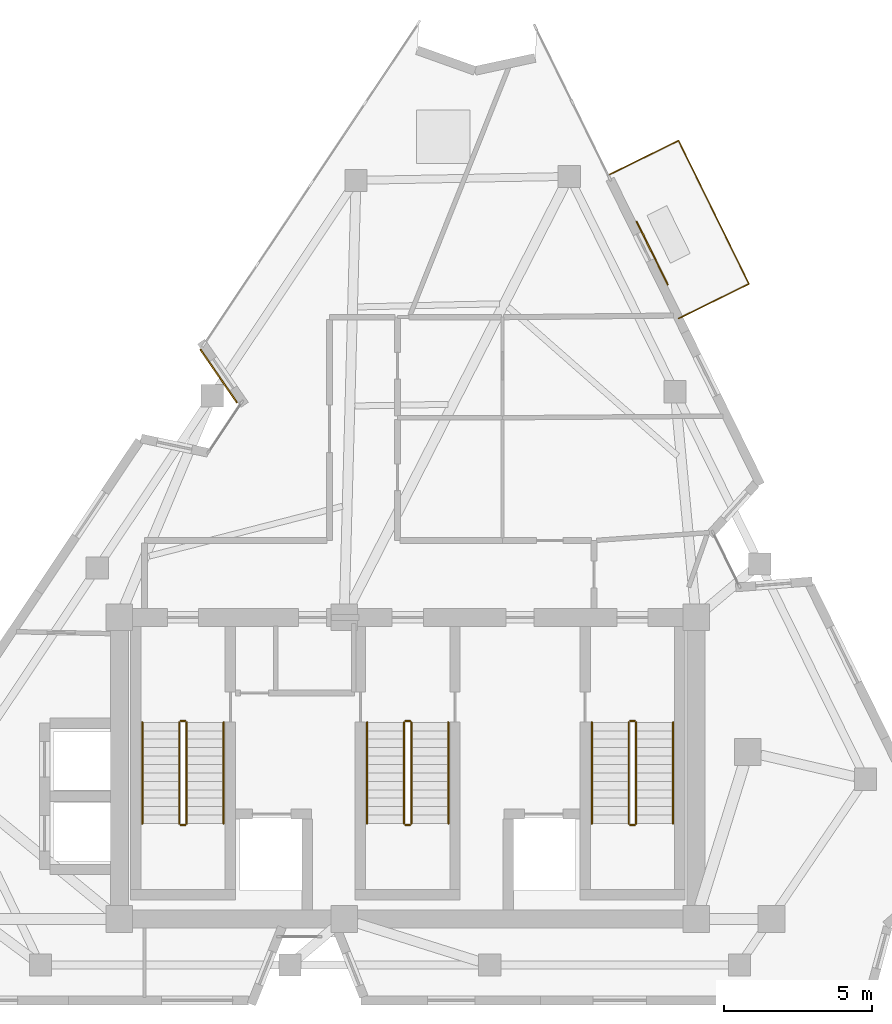
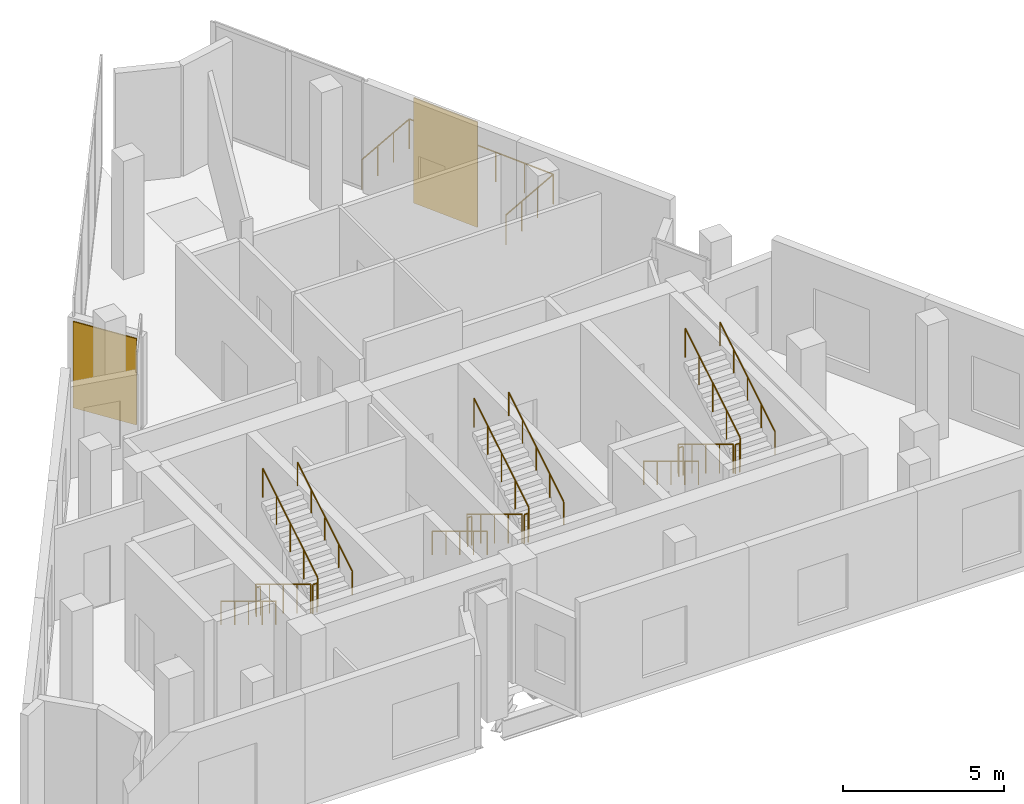
# One storey, part 8 of 8: 19 railings, 2 coverings.
"""IFC4 building model written with IfcOpenShell, lengths in metres."""

from ifc_helpers import new_model, si_unit, direction, frame, origin, origin_2d, place, context, subcontext, project, spatial, rectangle, circle, extrude, material, layer, layer_set, type_object, element, save


model = new_model("IFC4")

# Units and contexts
model_context = context("Model", 3, precision=1e-05, world=origin(), true_north=direction((0.0, 1.0)))
body_context = subcontext(model_context, "Body", "Model", "MODEL_VIEW")
ifc_project = project(units=[si_unit("LENGTHUNIT", "METRE"), si_unit("AREAUNIT", "SQUARE_METRE"), si_unit("VOLUMEUNIT", "CUBIC_METRE"), si_unit("PLANEANGLEUNIT", "RADIAN"), si_unit("MASSUNIT", "GRAM", prefix="KILO")], contexts=[model_context])

# Site, building, storey
site_placement = place(None, origin())
site = spatial("IfcSite", under=ifc_project, at=site_placement, CompositionType="ELEMENT")
building_placement = place(site_placement, origin())
building = spatial("IfcBuilding", under=site, at=building_placement, Name="Almagre Mirador Tower", CompositionType="ELEMENT")
storey_placement = place(building_placement, frame((0.0, 0.0, 294.0)))
storey = spatial("IfcBuildingStorey", under=building, at=storey_placement, Name="L76", CompositionType="ELEMENT", Elevation=294.0)

# Coverings
ifc_material_1 = material(Name="Almagre terracotta architectural cladding", Category="masonry")
ifc_layer = layer(ifc_material_1, 0.044921875)
ifc_layer_set = layer_set([ifc_layer], Name="Almagre terracotta architectural cladding")
covering_type = type_object("IfcCoveringType", Name="COV-CLAD-ALMAGRE", PredefinedType="CLADDING", material=ifc_layer_set)
covering_1_placement = place(storey_placement, frame((30.908447265625, 22.90966796875, 0.10009765625), z_axis=(0.0, 0.0, 1.0), x_axis=(-0.567513271194, 0.823364249296, 0.0)))
element("IfcCovering", 1, at=covering_1_placement, inside=storey, type_object=covering_type, Name="L76 almagre terracotta pier cladding", PredefinedType="CLADDING", context=body_context, shape_type="SweptSolid", body=[
    extrude(rectangle(XDim=2.194091796875, YDim=0.044921875, at=origin_2d()), origin(), (0.0, 0.0, 1.0), 3.281982421875),
])
covering_2_placement = place(storey_placement, frame((45.56787109375, 27.065185546875, 0.10009765625), z_axis=(0.0, 0.0, 1.0), x_axis=(0.441270935972, -0.897373924886, 0.0)))
element("IfcCovering", 2, at=covering_2_placement, inside=storey, type_object=covering_type, Name="L76 almagre terracotta pier cladding", PredefinedType="CLADDING", context=body_context, shape_type="SweptSolid", body=[
    extrude(rectangle(XDim=2.39990234375, YDim=0.044921875, at=origin_2d()), origin(), (0.0, 0.0, 1.0), 4.0),
])

# Railings
ifc_material_2 = material(Name="Black anodized aluminium", Category="aluminium")
railing_type_1 = type_object("IfcRailingType", Name="RLG-BAL-1150", PredefinedType="BALUSTRADE", material=ifc_material_2)
railing_1_placement = place(storey_placement, frame((46.4609375, 24.85693359375, 0.0)))
element("IfcRailing", 3, at=railing_1_placement, inside=storey, type_object=railing_type_1, Name="L76 east balcony balustrade 1", PredefinedType="BALUSTRADE", context=body_context, shape_type="SweptSolid", body=[
    extrude(circle(Radius=0.02392578125, at=origin_2d()), frame((0.0, 0.0, 1.1259765625), z_axis=(0.897264435075, 0.441493526056, 0.0), x_axis=(-0.441493526056, 0.897264435075, 0.0)), (0.0, 0.0, 1.0), 2.650390625),
    extrude(circle(Radius=0.02392578125, at=origin_2d()), frame((2.378173828125, 1.170166015625, 1.1259765625), z_axis=(-0.441216382281, 0.897400748833, 0.0), x_axis=(-0.897400748833, -0.441216382281, 0.0)), (0.0, 0.0, 1.0), 5.39892578125),
    extrude(circle(Radius=0.02392578125, at=origin_2d()), frame((-0.00390625, 6.01513671875, 1.1259765625), z_axis=(-0.897392430481, -0.441233300778, 0.0), x_axis=(0.441233300778, -0.897392430481, 0.0)), (0.0, 0.0, 1.0), 2.64990234375),
    extrude(circle(Radius=0.02099609375, at=origin_2d()), origin(), (0.0, 0.0, 1.0), 1.101806640625),
    extrude(circle(Radius=0.02099609375, at=origin_2d()), frame((0.792724609375, 0.39013671875, 0.0)), (0.0, 0.0, 1.0), 1.101806640625),
    extrude(circle(Radius=0.02099609375, at=origin_2d()), frame((1.58544921875, 0.780029296875, 0.0)), (0.0, 0.0, 1.0), 1.101806640625),
    extrude(circle(Radius=0.02099609375, at=origin_2d()), frame((2.378173828125, 1.170166015625, 0.0)), (0.0, 0.0, 1.0), 1.101806640625),
    extrude(circle(Radius=0.02099609375, at=origin_2d()), frame((1.90185546875, 2.13916015625, 0.0)), (0.0, 0.0, 1.0), 1.101806640625),
    extrude(circle(Radius=0.02099609375, at=origin_2d()), frame((1.42529296875, 3.108154296875, 0.0)), (0.0, 0.0, 1.0), 1.101806640625),
    extrude(circle(Radius=0.02099609375, at=origin_2d()), frame((0.948974609375, 4.0771484375, 0.0)), (0.0, 0.0, 1.0), 1.101806640625),
    extrude(circle(Radius=0.02099609375, at=origin_2d()), frame((0.472412109375, 5.046142578125, 0.0)), (0.0, 0.0, 1.0), 1.101806640625),
    extrude(circle(Radius=0.02099609375, at=origin_2d()), frame((-0.00390625, 6.01513671875, 0.0)), (0.0, 0.0, 1.0), 1.101806640625),
    extrude(circle(Radius=0.02099609375, at=origin_2d()), frame((-0.796630859375, 5.62548828125, 0.0)), (0.0, 0.0, 1.0), 1.101806640625),
    extrude(circle(Radius=0.02099609375, at=origin_2d()), frame((-1.589111328125, 5.235595703125, 0.0)), (0.0, 0.0, 1.0), 1.101806640625),
    extrude(circle(Radius=0.02099609375, at=origin_2d()), frame((-2.3818359375, 4.845947265625, 0.0)), (0.0, 0.0, 1.0), 1.101806640625),
])
ifc_material_3 = material(Name="Painted galvanized steel", Category="steel")
railing_type_2 = type_object("IfcRailingType", Name="RLG-GRD-1100", PredefinedType="GUARDRAIL", material=ifc_material_3)
railing_2_placement = place(storey_placement, frame((29.574951171875, 11.199951171875, 0.173095703125)))
element("IfcRailing", 4, at=railing_2_placement, inside=storey, type_object=railing_type_2, Name="L76 ST-1 stair guard 1", PredefinedType="GUARDRAIL", context=body_context, shape_type="SweptSolid", body=[
    extrude(circle(Radius=0.02392578125, at=origin_2d()), frame((0.0, 0.0, 1.09619140625), z_axis=(0.0, -0.854729506542, 0.519073665916), x_axis=(1.0, 0.0, 0.0)), (0.0, 0.0, 1.0), 4.001220703125),
    extrude(circle(Radius=0.02099609375, at=origin_2d()), origin(), (0.0, 0.0, 1.0), 1.072021484375),
    extrude(circle(Radius=0.02099609375, at=origin_2d()), frame((0.0, -0.85498046875, 0.519287109375)), (0.0, 0.0, 1.0), 1.072021484375),
    extrude(circle(Radius=0.02099609375, at=origin_2d()), frame((0.0, -1.7099609375, 1.03857421875)), (0.0, 0.0, 1.0), 1.072021484375),
    extrude(circle(Radius=0.02099609375, at=origin_2d()), frame((0.0, -2.56494140625, 1.5576171875)), (0.0, 0.0, 1.0), 1.072021484375),
    extrude(circle(Radius=0.02099609375, at=origin_2d()), frame((0.0, -3.419921875, 2.076904296875)), (0.0, 0.0, 1.0), 1.072021484375),
])
railing_3_placement = place(storey_placement, frame((29.625, 7.72998046875, 2.25)))
element("IfcRailing", 5, at=railing_3_placement, inside=storey, type_object=railing_type_2, Name="L76 ST-1 stair guard 2", PredefinedType="GUARDRAIL", context=body_context, shape_type="SweptSolid", body=[
    extrude(circle(Radius=0.02392578125, at=origin_2d()), frame((0.0, 0.0, 1.09619140625), z_axis=(1.0, 0.0, 0.0), x_axis=(0.0, 1.0, 0.0)), (0.0, 0.0, 1.0), 0.14990234375),
    extrude(circle(Radius=0.02099609375, at=origin_2d()), origin(), (0.0, 0.0, 1.0), 1.072021484375),
    extrude(circle(Radius=0.02099609375, at=origin_2d()), frame((0.14990234375, 0.0, 0.0)), (0.0, 0.0, 1.0), 1.072021484375),
])
railing_4_placement = place(storey_placement, frame((29.824951171875, 7.780029296875, 2.423095703125)))
element("IfcRailing", 6, at=railing_4_placement, inside=storey, type_object=railing_type_2, Name="L76 ST-1 stair guard 3", PredefinedType="GUARDRAIL", context=body_context, shape_type="SweptSolid", body=[
    extrude(circle(Radius=0.02392578125, at=origin_2d()), frame((0.0, 0.0, 1.09619140625), z_axis=(0.0, 0.854729506542, 0.519073665916), x_axis=(-1.0, 0.0, 0.0)), (0.0, 0.0, 1.0), 4.001220703125),
    extrude(circle(Radius=0.02099609375, at=origin_2d()), origin(), (0.0, 0.0, 1.0), 1.072021484375),
    extrude(circle(Radius=0.02099609375, at=origin_2d()), frame((0.0, 0.85498046875, 0.519287109375)), (0.0, 0.0, 1.0), 1.072021484375),
    extrude(circle(Radius=0.02099609375, at=origin_2d()), frame((0.0, 1.7099609375, 1.03857421875)), (0.0, 0.0, 1.0), 1.072021484375),
    extrude(circle(Radius=0.02099609375, at=origin_2d()), frame((0.0, 2.56494140625, 1.5576171875)), (0.0, 0.0, 1.0), 1.072021484375),
    extrude(circle(Radius=0.02099609375, at=origin_2d()), frame((0.0, 3.419921875, 2.076904296875)), (0.0, 0.0, 1.0), 1.072021484375),
])
railing_5_placement = place(storey_placement, frame((29.625, 11.25, 0.0)))
element("IfcRailing", 7, at=railing_5_placement, inside=storey, type_object=railing_type_2, Name="L76 ST-1 stair guard 4", PredefinedType="GUARDRAIL", context=body_context, shape_type="SweptSolid", body=[
    extrude(circle(Radius=0.02392578125, at=origin_2d()), frame((0.0, 0.0, 1.09619140625), z_axis=(1.0, 0.0, 0.0), x_axis=(0.0, 1.0, 0.0)), (0.0, 0.0, 1.0), 0.14990234375),
    extrude(circle(Radius=0.02099609375, at=origin_2d()), origin(), (0.0, 0.0, 1.0), 1.072021484375),
    extrude(circle(Radius=0.02099609375, at=origin_2d()), frame((0.14990234375, 0.0, 0.0)), (0.0, 0.0, 1.0), 1.072021484375),
])
railing_6_placement = place(storey_placement, frame((37.175048828125, 11.199951171875, 0.173095703125)))
element("IfcRailing", 8, at=railing_6_placement, inside=storey, type_object=railing_type_2, Name="L76 ST-2 stair guard 1", PredefinedType="GUARDRAIL", context=body_context, shape_type="SweptSolid", body=[
    extrude(circle(Radius=0.02392578125, at=origin_2d()), frame((0.0, 0.0, 1.09619140625), z_axis=(0.0, -0.854729506542, 0.519073665916), x_axis=(1.0, 0.0, 0.0)), (0.0, 0.0, 1.0), 4.001220703125),
    extrude(circle(Radius=0.02099609375, at=origin_2d()), origin(), (0.0, 0.0, 1.0), 1.072021484375),
    extrude(circle(Radius=0.02099609375, at=origin_2d()), frame((0.0, -0.85498046875, 0.519287109375)), (0.0, 0.0, 1.0), 1.072021484375),
    extrude(circle(Radius=0.02099609375, at=origin_2d()), frame((0.0, -1.7099609375, 1.03857421875)), (0.0, 0.0, 1.0), 1.072021484375),
    extrude(circle(Radius=0.02099609375, at=origin_2d()), frame((0.0, -2.56494140625, 1.5576171875)), (0.0, 0.0, 1.0), 1.072021484375),
    extrude(circle(Radius=0.02099609375, at=origin_2d()), frame((0.0, -3.419921875, 2.076904296875)), (0.0, 0.0, 1.0), 1.072021484375),
])
railing_7_placement = place(storey_placement, frame((37.22509765625, 7.72998046875, 2.25)))
element("IfcRailing", 9, at=railing_7_placement, inside=storey, type_object=railing_type_2, Name="L76 ST-2 stair guard 2", PredefinedType="GUARDRAIL", context=body_context, shape_type="SweptSolid", body=[
    extrude(circle(Radius=0.02392578125, at=origin_2d()), frame((0.0, 0.0, 1.09619140625), z_axis=(1.0, 0.0, 0.0), x_axis=(0.0, 1.0, 0.0)), (0.0, 0.0, 1.0), 0.14990234375),
    extrude(circle(Radius=0.02099609375, at=origin_2d()), origin(), (0.0, 0.0, 1.0), 1.072021484375),
    extrude(circle(Radius=0.02099609375, at=origin_2d()), frame((0.14990234375, 0.0, 0.0)), (0.0, 0.0, 1.0), 1.072021484375),
])
railing_8_placement = place(storey_placement, frame((37.425048828125, 7.780029296875, 2.423095703125)))
element("IfcRailing", 10, at=railing_8_placement, inside=storey, type_object=railing_type_2, Name="L76 ST-2 stair guard 3", PredefinedType="GUARDRAIL", context=body_context, shape_type="SweptSolid", body=[
    extrude(circle(Radius=0.02392578125, at=origin_2d()), frame((0.0, 0.0, 1.09619140625), z_axis=(0.0, 0.854729506542, 0.519073665916), x_axis=(-1.0, 0.0, 0.0)), (0.0, 0.0, 1.0), 4.001220703125),
    extrude(circle(Radius=0.02099609375, at=origin_2d()), origin(), (0.0, 0.0, 1.0), 1.072021484375),
    extrude(circle(Radius=0.02099609375, at=origin_2d()), frame((0.0, 0.85498046875, 0.519287109375)), (0.0, 0.0, 1.0), 1.072021484375),
    extrude(circle(Radius=0.02099609375, at=origin_2d()), frame((0.0, 1.7099609375, 1.03857421875)), (0.0, 0.0, 1.0), 1.072021484375),
    extrude(circle(Radius=0.02099609375, at=origin_2d()), frame((0.0, 2.56494140625, 1.5576171875)), (0.0, 0.0, 1.0), 1.072021484375),
    extrude(circle(Radius=0.02099609375, at=origin_2d()), frame((0.0, 3.419921875, 2.076904296875)), (0.0, 0.0, 1.0), 1.072021484375),
])
railing_9_placement = place(storey_placement, frame((37.22509765625, 11.25, 0.0)))
element("IfcRailing", 11, at=railing_9_placement, inside=storey, type_object=railing_type_2, Name="L76 ST-2 stair guard 4", PredefinedType="GUARDRAIL", context=body_context, shape_type="SweptSolid", body=[
    extrude(circle(Radius=0.02392578125, at=origin_2d()), frame((0.0, 0.0, 1.09619140625), z_axis=(1.0, 0.0, 0.0), x_axis=(0.0, 1.0, 0.0)), (0.0, 0.0, 1.0), 0.14990234375),
    extrude(circle(Radius=0.02099609375, at=origin_2d()), origin(), (0.0, 0.0, 1.0), 1.072021484375),
    extrude(circle(Radius=0.02099609375, at=origin_2d()), frame((0.14990234375, 0.0, 0.0)), (0.0, 0.0, 1.0), 1.072021484375),
])
railing_10_placement = place(storey_placement, frame((44.77490234375, 11.199951171875, 0.173095703125)))
element("IfcRailing", 12, at=railing_10_placement, inside=storey, type_object=railing_type_2, Name="L76 ST-3 stair guard 1", PredefinedType="GUARDRAIL", context=body_context, shape_type="SweptSolid", body=[
    extrude(circle(Radius=0.02392578125, at=origin_2d()), frame((0.0, 0.0, 1.09619140625), z_axis=(0.0, -0.854729506542, 0.519073665916), x_axis=(1.0, 0.0, 0.0)), (0.0, 0.0, 1.0), 4.001220703125),
    extrude(circle(Radius=0.02099609375, at=origin_2d()), origin(), (0.0, 0.0, 1.0), 1.072021484375),
    extrude(circle(Radius=0.02099609375, at=origin_2d()), frame((0.0, -0.85498046875, 0.519287109375)), (0.0, 0.0, 1.0), 1.072021484375),
    extrude(circle(Radius=0.02099609375, at=origin_2d()), frame((0.0, -1.7099609375, 1.03857421875)), (0.0, 0.0, 1.0), 1.072021484375),
    extrude(circle(Radius=0.02099609375, at=origin_2d()), frame((0.0, -2.56494140625, 1.5576171875)), (0.0, 0.0, 1.0), 1.072021484375),
    extrude(circle(Radius=0.02099609375, at=origin_2d()), frame((0.0, -3.419921875, 2.076904296875)), (0.0, 0.0, 1.0), 1.072021484375),
])
railing_11_placement = place(storey_placement, frame((44.824951171875, 7.72998046875, 2.25)))
element("IfcRailing", 13, at=railing_11_placement, inside=storey, type_object=railing_type_2, Name="L76 ST-3 stair guard 2", PredefinedType="GUARDRAIL", context=body_context, shape_type="SweptSolid", body=[
    extrude(circle(Radius=0.02392578125, at=origin_2d()), frame((0.0, 0.0, 1.09619140625), z_axis=(1.0, 0.0, 0.0), x_axis=(0.0, 1.0, 0.0)), (0.0, 0.0, 1.0), 0.150146484375),
    extrude(circle(Radius=0.02099609375, at=origin_2d()), origin(), (0.0, 0.0, 1.0), 1.072021484375),
    extrude(circle(Radius=0.02099609375, at=origin_2d()), frame((0.150146484375, 0.0, 0.0)), (0.0, 0.0, 1.0), 1.072021484375),
])
railing_12_placement = place(storey_placement, frame((45.02490234375, 7.780029296875, 2.423095703125)))
element("IfcRailing", 14, at=railing_12_placement, inside=storey, type_object=railing_type_2, Name="L76 ST-3 stair guard 3", PredefinedType="GUARDRAIL", context=body_context, shape_type="SweptSolid", body=[
    extrude(circle(Radius=0.02392578125, at=origin_2d()), frame((0.0, 0.0, 1.09619140625), z_axis=(0.0, 0.854729506542, 0.519073665916), x_axis=(-1.0, 0.0, 0.0)), (0.0, 0.0, 1.0), 4.001220703125),
    extrude(circle(Radius=0.02099609375, at=origin_2d()), origin(), (0.0, 0.0, 1.0), 1.072021484375),
    extrude(circle(Radius=0.02099609375, at=origin_2d()), frame((0.0, 0.85498046875, 0.519287109375)), (0.0, 0.0, 1.0), 1.072021484375),
    extrude(circle(Radius=0.02099609375, at=origin_2d()), frame((0.0, 1.7099609375, 1.03857421875)), (0.0, 0.0, 1.0), 1.072021484375),
    extrude(circle(Radius=0.02099609375, at=origin_2d()), frame((0.0, 2.56494140625, 1.5576171875)), (0.0, 0.0, 1.0), 1.072021484375),
    extrude(circle(Radius=0.02099609375, at=origin_2d()), frame((0.0, 3.419921875, 2.076904296875)), (0.0, 0.0, 1.0), 1.072021484375),
])
railing_13_placement = place(storey_placement, frame((44.824951171875, 11.25, 0.0)))
element("IfcRailing", 15, at=railing_13_placement, inside=storey, type_object=railing_type_2, Name="L76 ST-3 stair guard 4", PredefinedType="GUARDRAIL", context=body_context, shape_type="SweptSolid", body=[
    extrude(circle(Radius=0.02392578125, at=origin_2d()), frame((0.0, 0.0, 1.09619140625), z_axis=(1.0, 0.0, 0.0), x_axis=(0.0, 1.0, 0.0)), (0.0, 0.0, 1.0), 0.150146484375),
    extrude(circle(Radius=0.02099609375, at=origin_2d()), origin(), (0.0, 0.0, 1.0), 1.072021484375),
    extrude(circle(Radius=0.02099609375, at=origin_2d()), frame((0.150146484375, 0.0, 0.0)), (0.0, 0.0, 1.0), 1.072021484375),
])
ifc_material_4 = material(Name="Brushed stainless steel", Category="steel")
railing_type_3 = type_object("IfcRailingType", Name="RLG-HND-915", PredefinedType="HANDRAIL", material=ifc_material_4)
railing_14_placement = place(storey_placement, frame((28.324951171875, 11.199951171875, 0.173095703125)))
element("IfcRailing", 16, at=railing_14_placement, inside=storey, type_object=railing_type_3, Name="L76 ST-1 stair handrail 1", PredefinedType="HANDRAIL", context=body_context, shape_type="SweptSolid", body=[
    extrude(circle(Radius=0.02392578125, at=origin_2d()), frame((0.0, 0.0, 0.89111328125), z_axis=(0.0, -0.854729506542, 0.519073665916), x_axis=(1.0, 0.0, 0.0)), (0.0, 0.0, 1.0), 4.001220703125),
    extrude(circle(Radius=0.02099609375, at=origin_2d()), origin(), (0.0, 0.0, 1.0), 0.866943359375),
    extrude(circle(Radius=0.02099609375, at=origin_2d()), frame((0.0, -0.85498046875, 0.519287109375)), (0.0, 0.0, 1.0), 0.866943359375),
    extrude(circle(Radius=0.02099609375, at=origin_2d()), frame((0.0, -1.7099609375, 1.03857421875)), (0.0, 0.0, 1.0), 0.866943359375),
    extrude(circle(Radius=0.02099609375, at=origin_2d()), frame((0.0, -2.56494140625, 1.5576171875)), (0.0, 0.0, 1.0), 0.866943359375),
    extrude(circle(Radius=0.02099609375, at=origin_2d()), frame((0.0, -3.419921875, 2.076904296875)), (0.0, 0.0, 1.0), 0.866943359375),
])
railing_15_placement = place(storey_placement, frame((31.074951171875, 7.780029296875, 2.423095703125)))
element("IfcRailing", 17, at=railing_15_placement, inside=storey, type_object=railing_type_3, Name="L76 ST-1 stair handrail 2", PredefinedType="HANDRAIL", context=body_context, shape_type="SweptSolid", body=[
    extrude(circle(Radius=0.02392578125, at=origin_2d()), frame((0.0, 0.0, 0.89111328125), z_axis=(0.0, 0.854729506542, 0.519073665916), x_axis=(-1.0, 0.0, 0.0)), (0.0, 0.0, 1.0), 4.001220703125),
    extrude(circle(Radius=0.02099609375, at=origin_2d()), origin(), (0.0, 0.0, 1.0), 0.866943359375),
    extrude(circle(Radius=0.02099609375, at=origin_2d()), frame((0.0, 0.85498046875, 0.519287109375)), (0.0, 0.0, 1.0), 0.866943359375),
    extrude(circle(Radius=0.02099609375, at=origin_2d()), frame((0.0, 1.7099609375, 1.03857421875)), (0.0, 0.0, 1.0), 0.866943359375),
    extrude(circle(Radius=0.02099609375, at=origin_2d()), frame((0.0, 2.56494140625, 1.5576171875)), (0.0, 0.0, 1.0), 0.866943359375),
    extrude(circle(Radius=0.02099609375, at=origin_2d()), frame((0.0, 3.419921875, 2.076904296875)), (0.0, 0.0, 1.0), 0.866943359375),
])
railing_16_placement = place(storey_placement, frame((35.925048828125, 11.199951171875, 0.173095703125)))
element("IfcRailing", 18, at=railing_16_placement, inside=storey, type_object=railing_type_3, Name="L76 ST-2 stair handrail 1", PredefinedType="HANDRAIL", context=body_context, shape_type="SweptSolid", body=[
    extrude(circle(Radius=0.02392578125, at=origin_2d()), frame((0.0, 0.0, 0.89111328125), z_axis=(0.0, -0.854729506542, 0.519073665916), x_axis=(1.0, 0.0, 0.0)), (0.0, 0.0, 1.0), 4.001220703125),
    extrude(circle(Radius=0.02099609375, at=origin_2d()), origin(), (0.0, 0.0, 1.0), 0.866943359375),
    extrude(circle(Radius=0.02099609375, at=origin_2d()), frame((0.0, -0.85498046875, 0.519287109375)), (0.0, 0.0, 1.0), 0.866943359375),
    extrude(circle(Radius=0.02099609375, at=origin_2d()), frame((0.0, -1.7099609375, 1.03857421875)), (0.0, 0.0, 1.0), 0.866943359375),
    extrude(circle(Radius=0.02099609375, at=origin_2d()), frame((0.0, -2.56494140625, 1.5576171875)), (0.0, 0.0, 1.0), 0.866943359375),
    extrude(circle(Radius=0.02099609375, at=origin_2d()), frame((0.0, -3.419921875, 2.076904296875)), (0.0, 0.0, 1.0), 0.866943359375),
])
railing_17_placement = place(storey_placement, frame((38.675048828125, 7.780029296875, 2.423095703125)))
element("IfcRailing", 19, at=railing_17_placement, inside=storey, type_object=railing_type_3, Name="L76 ST-2 stair handrail 2", PredefinedType="HANDRAIL", context=body_context, shape_type="SweptSolid", body=[
    extrude(circle(Radius=0.02392578125, at=origin_2d()), frame((0.0, 0.0, 0.89111328125), z_axis=(0.0, 0.854729506542, 0.519073665916), x_axis=(-1.0, 0.0, 0.0)), (0.0, 0.0, 1.0), 4.001220703125),
    extrude(circle(Radius=0.02099609375, at=origin_2d()), origin(), (0.0, 0.0, 1.0), 0.866943359375),
    extrude(circle(Radius=0.02099609375, at=origin_2d()), frame((0.0, 0.85498046875, 0.519287109375)), (0.0, 0.0, 1.0), 0.866943359375),
    extrude(circle(Radius=0.02099609375, at=origin_2d()), frame((0.0, 1.7099609375, 1.03857421875)), (0.0, 0.0, 1.0), 0.866943359375),
    extrude(circle(Radius=0.02099609375, at=origin_2d()), frame((0.0, 2.56494140625, 1.5576171875)), (0.0, 0.0, 1.0), 0.866943359375),
    extrude(circle(Radius=0.02099609375, at=origin_2d()), frame((0.0, 3.419921875, 2.076904296875)), (0.0, 0.0, 1.0), 0.866943359375),
])
railing_18_placement = place(storey_placement, frame((43.52490234375, 11.199951171875, 0.173095703125)))
element("IfcRailing", 20, at=railing_18_placement, inside=storey, type_object=railing_type_3, Name="L76 ST-3 stair handrail 1", PredefinedType="HANDRAIL", context=body_context, shape_type="SweptSolid", body=[
    extrude(circle(Radius=0.02392578125, at=origin_2d()), frame((0.0, 0.0, 0.89111328125), z_axis=(0.0, -0.854729506542, 0.519073665916), x_axis=(1.0, 0.0, 0.0)), (0.0, 0.0, 1.0), 4.001220703125),
    extrude(circle(Radius=0.02099609375, at=origin_2d()), origin(), (0.0, 0.0, 1.0), 0.866943359375),
    extrude(circle(Radius=0.02099609375, at=origin_2d()), frame((0.0, -0.85498046875, 0.519287109375)), (0.0, 0.0, 1.0), 0.866943359375),
    extrude(circle(Radius=0.02099609375, at=origin_2d()), frame((0.0, -1.7099609375, 1.03857421875)), (0.0, 0.0, 1.0), 0.866943359375),
    extrude(circle(Radius=0.02099609375, at=origin_2d()), frame((0.0, -2.56494140625, 1.5576171875)), (0.0, 0.0, 1.0), 0.866943359375),
    extrude(circle(Radius=0.02099609375, at=origin_2d()), frame((0.0, -3.419921875, 2.076904296875)), (0.0, 0.0, 1.0), 0.866943359375),
])
railing_19_placement = place(storey_placement, frame((46.27490234375, 7.780029296875, 2.423095703125)))
element("IfcRailing", 21, at=railing_19_placement, inside=storey, type_object=railing_type_3, Name="L76 ST-3 stair handrail 2", PredefinedType="HANDRAIL", context=body_context, shape_type="SweptSolid", body=[
    extrude(circle(Radius=0.02392578125, at=origin_2d()), frame((0.0, 0.0, 0.89111328125), z_axis=(0.0, 0.854729506542, 0.519073665916), x_axis=(-1.0, 0.0, 0.0)), (0.0, 0.0, 1.0), 4.001220703125),
    extrude(circle(Radius=0.02099609375, at=origin_2d()), origin(), (0.0, 0.0, 1.0), 0.866943359375),
    extrude(circle(Radius=0.02099609375, at=origin_2d()), frame((0.0, 0.85498046875, 0.519287109375)), (0.0, 0.0, 1.0), 0.866943359375),
    extrude(circle(Radius=0.02099609375, at=origin_2d()), frame((0.0, 1.7099609375, 1.03857421875)), (0.0, 0.0, 1.0), 0.866943359375),
    extrude(circle(Radius=0.02099609375, at=origin_2d()), frame((0.0, 2.56494140625, 1.5576171875)), (0.0, 0.0, 1.0), 0.866943359375),
    extrude(circle(Radius=0.02099609375, at=origin_2d()), frame((0.0, 3.419921875, 2.076904296875)), (0.0, 0.0, 1.0), 0.866943359375),
])

save(model, "model.ifc")
